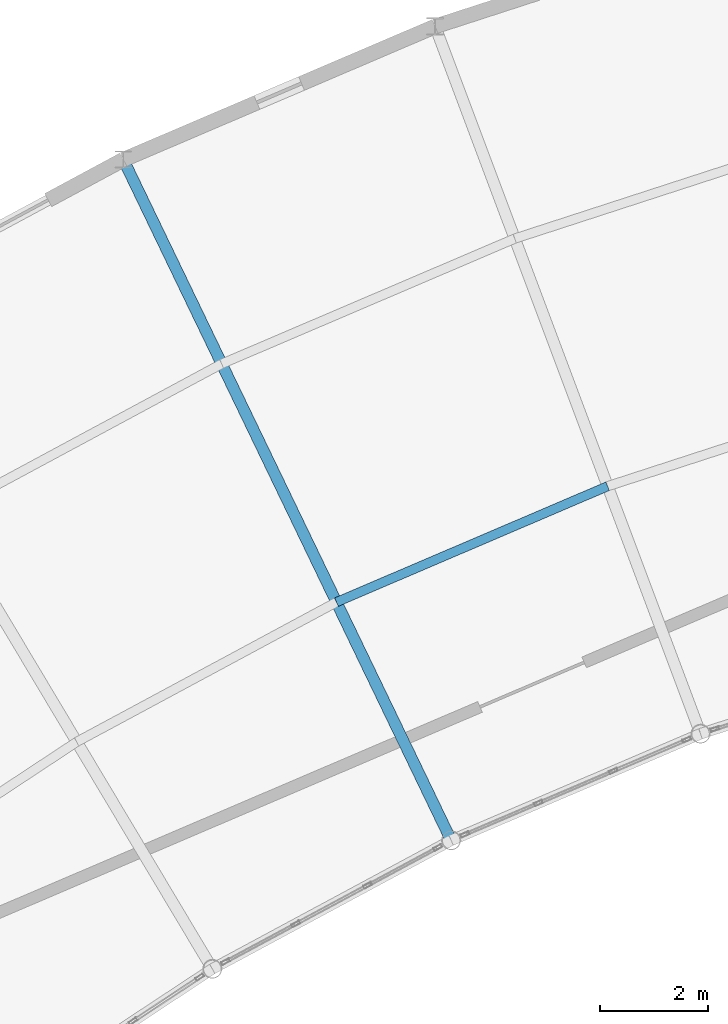
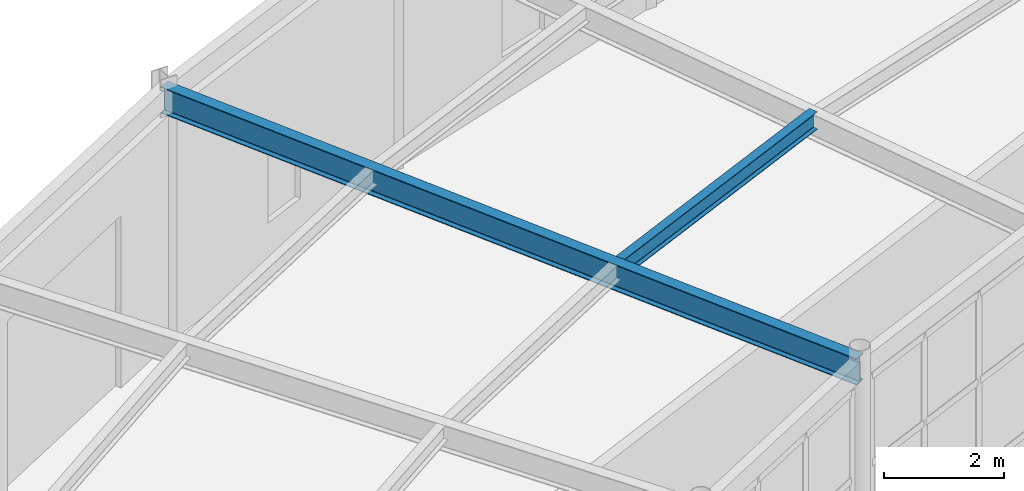
# One storey, part 45 of 87: 2 beams.
"""IFC4 building model written with IfcOpenShell, lengths in metres."""

from ifc_helpers import new_model, si_unit, direction, frame, origin, origin_2d, place, context, subcontext, project, spatial, i_section, extrude, material, material_profile, profile_set, type_object, element, save


model = new_model("IFC4")

# Units and contexts
model_context = context("Model", 3, precision=1e-05, world=origin(), true_north=direction((0.0, 1.0)))
body_context = subcontext(model_context, "Body", "Model", "MODEL_VIEW")
ifc_project = project(units=[si_unit("LENGTHUNIT", "METRE"), si_unit("AREAUNIT", "SQUARE_METRE"), si_unit("VOLUMEUNIT", "CUBIC_METRE"), si_unit("PLANEANGLEUNIT", "RADIAN"), si_unit("MASSUNIT", "GRAM", prefix="KILO")], contexts=[model_context])

# Site, building, storey
site_placement = place(None, origin())
site = spatial("IfcSite", under=ifc_project, at=site_placement, CompositionType="ELEMENT")
building_placement = place(site_placement, origin())
building = spatial("IfcBuilding", under=site, at=building_placement, Name="Selat Folded Stagehouse", CompositionType="ELEMENT")
storey_placement = place(building_placement, origin())
storey = spatial("IfcBuildingStorey", under=building, at=storey_placement, Name="L00", CompositionType="ELEMENT", Elevation=0.0)

# Beams
ifc_material = material(Name="Steel S355", Category="steel")
ifc_material_profile_1 = material_profile(ifc_material, i_section(OverallWidth=0.209228515625, OverallDepth=0.533203125, WebThickness=0.010009765625, FlangeThickness=0.015625, FilletRadius=0.0126953125, at=origin_2d()), Name="UKB 533x210x92")
ifc_profile_set_1 = profile_set([ifc_material_profile_1], Name="Steel S355")
beam_type_1 = type_object("IfcBeamType", Name="BM-GIRD-533x210x92", PredefinedType="BEAM", material=ifc_profile_set_1)
beam_1_placement = place(storey_placement, frame((68.1025390625, 88.454345703125, 4.91357421875), z_axis=(-0.433890071226, 0.900965818492, 0.0), x_axis=(-0.900965818492, -0.433890071226, 0.0)))
element("IfcBeam", 1, at=beam_1_placement, inside=storey, type_object=beam_type_1, Name="L00 curved rehearsal radial girder 3", PredefinedType="BEAM", context=body_context, shape_type="SweptSolid", body=[
    extrude(i_section(OverallWidth=0.209228515625, OverallDepth=0.533203125, WebThickness=0.010009765625, FlangeThickness=0.015625, FilletRadius=0.0126953125, at=origin_2d()), origin(), (0.0, 0.0, 1.0), 14.0),
])
ifc_material_profile_2 = material_profile(ifc_material, i_section(OverallWidth=0.17138671875, OverallDepth=0.35498046875, WebThickness=0.00732421875, FlangeThickness=0.011474609375, FilletRadius=0.01025390625, at=origin_2d()), Name="UKB 356x171x51")
ifc_profile_set_2 = profile_set([ifc_material_profile_2], Name="Steel S355")
beam_type_2 = type_object("IfcBeamType", Name="JST-356x171x51", PredefinedType="JOIST", material=ifc_profile_set_2)
beam_2_placement = place(storey_placement, frame((65.9765625, 92.868896484375, 5.00244140625), z_axis=(0.91952359964, 0.393034794521, 0.0), x_axis=(-0.393034794521, 0.91952359964, 0.0)))
element("IfcBeam", 2, at=beam_2_placement, inside=storey, type_object=beam_type_2, Name="L00 curved rehearsal secondary joist 3.1", PredefinedType="JOIST", context=body_context, shape_type="SweptSolid", body=[
    extrude(i_section(OverallWidth=0.17138671875, OverallDepth=0.35498046875, WebThickness=0.00732421875, FlangeThickness=0.011474609375, FilletRadius=0.01025390625, at=origin_2d()), origin(), (0.0, 0.0, 1.0), 5.46435546875),
])

save(model, "model.ifc")
